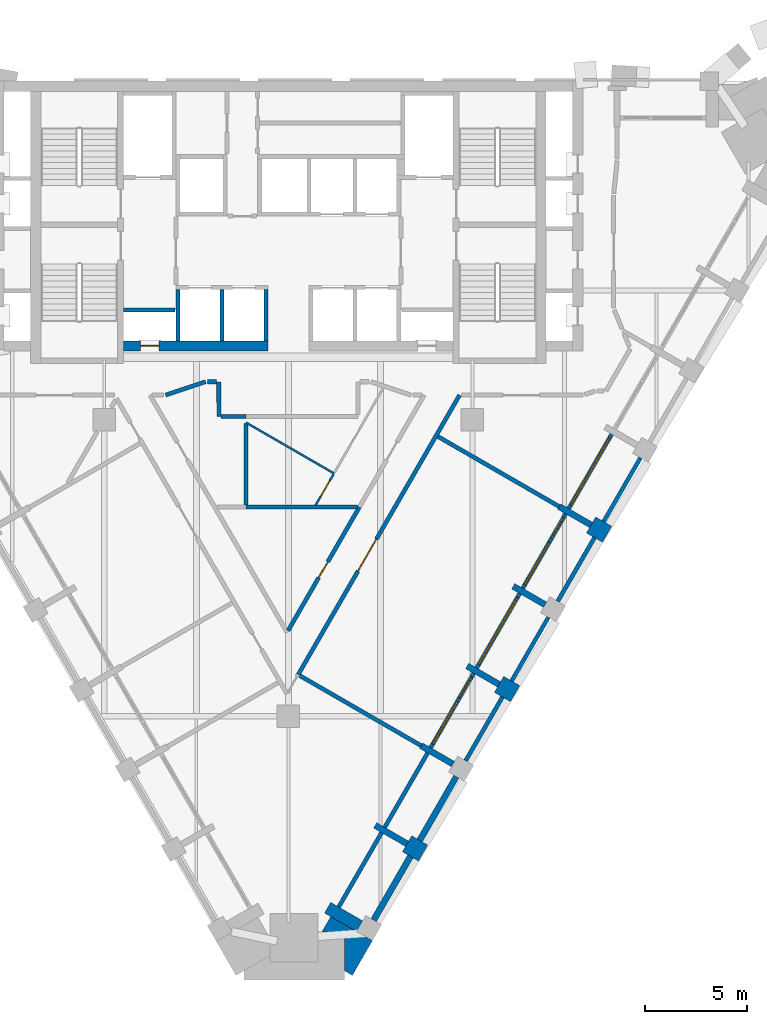
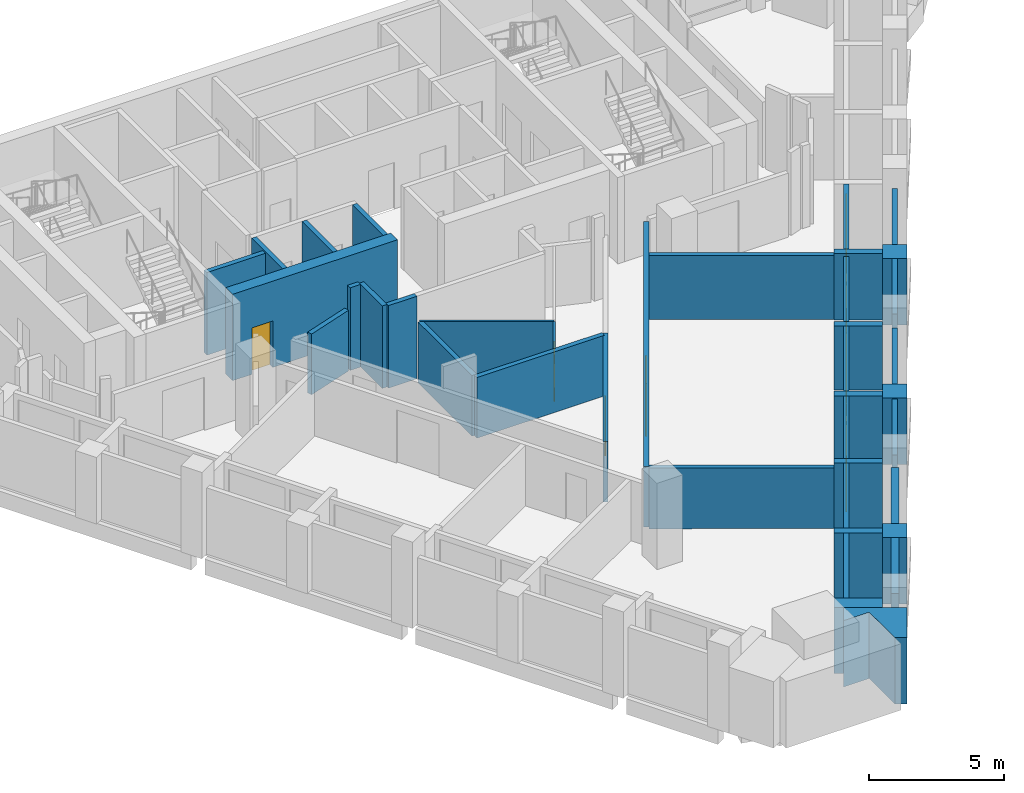
# One storey, part 4 of 9: 39 walls, 6 doors, 4 windows, 10 openings.
"""IFC4 building model written with IfcOpenShell, lengths in metres."""

from ifc_helpers import new_model, si_unit, direction, frame, frame_2d, origin, place, context, subcontext, project, spatial, polyline, rectangle, outline, extrude, material, layer, layer_set, type_object, element, fill, save


model = new_model("IFC4")

# Units and contexts
model_context = context("Model", 3, precision=1e-05, world=origin(), true_north=direction((0.0, 1.0)))
body_context = subcontext(model_context, "Body", "Model", "MODEL_VIEW")
ifc_project = project(units=[si_unit("LENGTHUNIT", "METRE"), si_unit("AREAUNIT", "SQUARE_METRE"), si_unit("VOLUMEUNIT", "CUBIC_METRE"), si_unit("PLANEANGLEUNIT", "RADIAN"), si_unit("MASSUNIT", "GRAM", prefix="KILO")], contexts=[model_context])

# Site, building, storey
site_placement = place(None, origin())
site = spatial("IfcSite", under=ifc_project, at=site_placement, CompositionType="ELEMENT")
building_placement = place(site_placement, origin())
building = spatial("IfcBuilding", under=site, at=building_placement, Name="Calabash Gate Tower", CompositionType="ELEMENT")
storey_placement = place(building_placement, frame((0.0, 0.0, 239.300048828125)))
storey = spatial("IfcBuildingStorey", under=building, at=storey_placement, Name="L57", CompositionType="ELEMENT", Elevation=239.300048828125)

# Walls
ifc_material_1 = material(Name="Terracotta brick masonry, exposed face", Category="masonry")
ifc_layer_1 = layer(ifc_material_1, 2.35009765625)
ifc_layer_set_1 = layer_set([ifc_layer_1], Name="Brick corner mass wall 2350")
wall_type_1 = type_object("IfcWallType", Name="Brick corner mass wall 2350", PredefinedType="SOLIDWALL", material=ifc_layer_set_1)
wall_1_placement = place(storey_placement, origin())
element("IfcWall", 1, at=wall_1_placement, inside=storey, type_object=wall_type_1, Name="Brick corner pier S16 2c", PredefinedType="SOLIDWALL", context=body_context, shape_type="SweptSolid", body=[
    extrude(outline(polyline([(4.11083984375, -22.9794921875), (2.07568359375, -21.804443359375), (1.6435546875, -22.552978515625), (2.740478515625, -22.552978515625), (2.740478515625, -24.452880859375), (3.130126953125, -24.677978515625), (4.11083984375, -22.9794921875)])), origin(), (0.0, 0.0, 1.0), 3.0),
])
ifc_material_2 = material(Name="Terracotta brick masonry, exposed face", Category="masonry")
ifc_layer_2 = layer(ifc_material_2, 0.89990234375)
ifc_layer_set_2 = layer_set([ifc_layer_2], Name="Brick end wall 900")
wall_type_2 = type_object("IfcWallType", Name="Brick end wall 900", PredefinedType="SOLIDWALL", material=ifc_layer_set_2)
for number, where, z_axis, x_axis, name in (
    (2, (5.970947265625, -18.857421875, 0.0), (0.0, 0.0, 1.0), (0.499902469156, 0.866081705922, 0.0), "Brick pier S16 SE2.1"),
    (3, (10.9208984375, -10.28369140625, 0.0), (0.0, 0.0, 1.0), (-0.499902469156, -0.866081705922, 0.0), "Brick pier S16 SE2.3"),
):
    element("IfcWall", number, at=place(storey_placement, frame(where, z_axis=z_axis, x_axis=x_axis)), inside=storey, type_object=wall_type_2, Name=name, PredefinedType="SOLIDWALL", context=body_context, shape_type="SweptSolid", body=[
        extrude(rectangle(XDim=0.900146484375, YDim=0.89990234375, at=frame_2d((0.4501953125, 0.0))), origin(), (0.0, 0.0, 1.0), 3.0),
    ])
wall_2_placement = place(storey_placement, frame((15.585693359375, -3.104248046875, 0.0), z_axis=(0.0, 0.0, 1.0), x_axis=(-0.866013897511, 0.50001992892, 0.0)))
element("IfcWall", 4, at=wall_2_placement, inside=storey, type_object=wall_type_2, Name="Brick pier S16 SE2.5", PredefinedType="SOLIDWALL", context=body_context, shape_type="SweptSolid", body=[
    extrude(rectangle(XDim=0.89990234375, YDim=0.89990234375, at=frame_2d((0.449951171875, 0.0))), origin(), (0.0, 0.0, 1.0), 3.0),
])
ifc_material_3 = material(Name="Terracotta brick masonry, exposed face", Category="masonry")
ifc_layer_3 = layer(ifc_material_3, 0.300048828125)
ifc_layer_set_3 = layer_set([ifc_layer_3], Name="Brick infill panel wall 300")
wall_type_3 = type_object("IfcWallType", Name="Brick infill panel wall 300", PredefinedType="SOLIDWALL", material=ifc_layer_set_3)
wall_3_placement = place(storey_placement, frame((4.171875, -21.9736328125, 0.0), z_axis=(0.0, 0.0, 1.0), x_axis=(0.499984792966, 0.866034183392, 0.0)))
element("IfcWall", 5, at=wall_3_placement, inside=storey, type_object=wall_type_3, Name="Brick panel S16 SE2.1", PredefinedType="SOLIDWALL", context=body_context, shape_type="SweptSolid", body=[
    extrude(rectangle(XDim=3.59814453125, YDim=0.300048828125, at=frame_2d((1.799072265625, 0.0))), origin(), (0.0, 0.0, 1.0), 3.0),
])
wall_4_placement = place(storey_placement, frame((8.220703125, -14.960693359375, 0.0), z_axis=(0.0, 0.0, 1.0), x_axis=(-0.50001992892, -0.866013897511, 0.0)))
element("IfcWall", 6, at=wall_4_placement, inside=storey, type_object=wall_type_3, Name="Brick panel S16 SE2.2", PredefinedType="SOLIDWALL", context=body_context, shape_type="SweptSolid", body=[
    extrude(rectangle(XDim=3.599365234375, YDim=0.300048828125, at=frame_2d((1.7998046875, 0.0))), origin(), (0.0, 0.0, 1.0), 3.0),
])
ifc_material_4 = material(Name="Terracotta brick masonry, exposed face", Category="masonry")
ifc_layer_4 = layer(ifc_material_4, 0.300048828125)
ifc_layer_set_4 = layer_set([ifc_layer_4], Name="Brick loggia cheek wall 300")
wall_type_4 = type_object("IfcWallType", Name="Brick loggia cheek wall 300", PredefinedType="SOLIDWALL", material=ifc_layer_set_4)
wall_5_placement = place(storey_placement, frame((3.481201171875, -22.269775390625, 0.0), z_axis=(0.0, 0.0, 1.0), x_axis=(-0.865989075817, 0.500062916607, 0.0)))
element("IfcWall", 7, at=wall_5_placement, inside=storey, type_object=wall_type_4, Name="Loggia cheek S16 SE2.0", PredefinedType="SOLIDWALL", context=body_context, shape_type="SweptSolid", body=[
    extrude(rectangle(XDim=1.800048828125, YDim=0.60009765625, at=frame_2d((0.89990234375, 0.0))), origin(), (0.0, 0.0, 1.0), 3.0),
])
for number, where, z_axis, x_axis, name in (
    (8, (4.24755859375, -17.3427734375, 0.0), (0.0, 0.0, 1.0), (0.866047807691, -0.499961193289, 0.0), "Loggia cheek S16 SE2.1"),
    (9, (8.056396484375, -14.345458984375, 0.0), (0.0, 0.0, 1.0), (-0.866047807691, 0.499961193289, 0.0), "Loggia cheek S16 SE2.2"),
):
    element("IfcWall", number, at=place(storey_placement, frame(where, z_axis=z_axis, x_axis=x_axis)), inside=storey, type_object=wall_type_4, Name=name, PredefinedType="SOLIDWALL", context=body_context, shape_type="SweptSolid", body=[
        extrude(rectangle(XDim=1.800048828125, YDim=0.300048828125, at=frame_2d((0.89990234375, 0.0))), origin(), (0.0, 0.0, 1.0), 3.0),
    ])
wall_6_placement = place(storey_placement, frame((8.74755859375, -9.54833984375, 0.0), z_axis=(0.0, 0.0, 1.0), x_axis=(0.865989075817, -0.500062916607, 0.0)))
element("IfcWall", 10, at=wall_6_placement, inside=storey, type_object=wall_type_4, Name="Loggia cheek S16 SE2.3", PredefinedType="SOLIDWALL", context=body_context, shape_type="SweptSolid", body=[
    extrude(rectangle(XDim=1.800048828125, YDim=0.300048828125, at=frame_2d((0.89990234375, 0.0))), origin(), (0.0, 0.0, 1.0), 2.884033203125),
])
wall_7_placement = place(storey_placement, frame((12.55615234375, -6.55126953125, 0.0), z_axis=(0.0, 0.0, 1.0), x_axis=(-0.866013897511, 0.50001992892, 0.0)))
element("IfcWall", 11, at=wall_7_placement, inside=storey, type_object=wall_type_4, Name="Loggia cheek S16 SE2.4", PredefinedType="SOLIDWALL", context=body_context, shape_type="SweptSolid", body=[
    extrude(rectangle(XDim=1.7998046875, YDim=0.300048828125, at=frame_2d((0.89990234375, 0.0))), origin(), (0.0, 0.0, 1.0), 2.884033203125),
])
wall_8_placement = place(storey_placement, frame((13.24755859375, -1.754150390625, 0.0), z_axis=(0.0, 0.0, 1.0), x_axis=(0.865989075817, -0.500062916607, 0.0)))
element("IfcWall", 12, at=wall_8_placement, inside=storey, type_object=wall_type_4, Name="Loggia cheek S16 SE2.5", PredefinedType="SOLIDWALL", context=body_context, shape_type="SweptSolid", body=[
    extrude(rectangle(XDim=1.800048828125, YDim=0.300048828125, at=frame_2d((0.89990234375, 0.0))), origin(), (0.0, 0.0, 1.0), 3.0),
])

# Wall, opening, door
ifc_material_5 = material(Name="Concrete C70/85", Category="concrete")
ifc_layer_5 = layer(ifc_material_5, 0.5)
ifc_layer_set_5 = layer_set([ifc_layer_5], Name="Core wall 500 Concrete C70/85")
wall_type_5 = type_object("IfcWallType", Name="Core wall 500 Concrete C70/85", PredefinedType="SHEAR", material=ifc_layer_set_5)
wall_9_placement = place(storey_placement, frame((-8.050048828125, 6.1025390625, 0.0), z_axis=(0.0, 0.0, 1.0), x_axis=(1.0, 0.0, 0.0)))
wall_9 = element("IfcWall", 13, at=wall_9_placement, inside=storey, type_object=wall_type_5, Name="Core wall Z4-SA L57", PredefinedType="SHEAR", context=body_context, shape_type="SweptSolid", body=[
    extrude(rectangle(XDim=7.050048828125, YDim=0.5, at=frame_2d((3.52490234375, 0.0))), origin(), (0.0, 0.0, 1.0), 3.89990234375),
])
opening_1_placement = place(wall_9_placement, frame((0.824951171875, 0.0, 0.0)))
opening_1 = element("IfcOpeningElement", 14, at=opening_1_placement, cuts=wall_9, Name="Opening O8-016", PredefinedType="OPENING", context=body_context, shape_type="SweptSolid", body=[
    extrude(rectangle(XDim=0.89990234375, YDim=2.10009765625, at=frame_2d((0.449951171875, 1.050048828125))), frame((0.0, 0.260009765625, 0.0), z_axis=(0.0, -1.0, 0.0), x_axis=(1.0, 0.0, 0.0)), (0.0, 0.0, 1.0), 0.52001953125),
])
ifc_material_6 = material(Name="Steel fire door set with fire-resisting glazing", Category="steel")
door_type_1 = type_object("IfcDoorType", Name="Fire door D07 900x2100 FD90", OperationType="NOTDEFINED", PredefinedType="DOOR", material=ifc_material_6)
door_1_placement = place(opening_1_placement, origin())
door_1 = element("IfcDoor", 15, at=door_1_placement, inside=storey, type_object=door_type_1, Name="Electrical Riser W door", OperationType="SINGLE_SWING_LEFT", OverallHeight=2.10009765625, OverallWidth=0.89990234375, PredefinedType="DOOR", context=body_context, shape_type="SweptSolid", body=[
    extrude(rectangle(XDim=0.89990234375, YDim=2.10009765625, at=frame_2d((0.449951171875, 1.050048828125))), frame((0.0, 0.02490234375, 0.0), z_axis=(0.0, -1.0, 0.0), x_axis=(1.0, 0.0, 0.0)), (0.0, 0.0, 1.0), 0.050048828125),
])
fill(opening_1, door_1)

ifc_material_7 = material(Name="Gypsum board on steel studs, mineral wool", Category="steel")
ifc_layer_6 = layer(ifc_material_7, 0.10009765625)
ifc_layer_set_6 = layer_set([ifc_layer_6], Name="Partition 100 gypsum board")
wall_type_6 = type_object("IfcWallType", Name="Partition 100 gypsum board", PredefinedType="PARTITIONING", material=ifc_layer_set_6)
wall_10_placement = place(storey_placement, frame((1.330810546875, -1.691162109375, 0.0), z_axis=(0.0, 0.0, 1.0), x_axis=(0.500723196883, 0.865607463059, 0.0)))
wall_10 = element("IfcWall", 16, at=wall_10_placement, inside=storey, type_object=wall_type_6, Name="Partition", PredefinedType="PARTITIONING", context=body_context, shape_type="SweptSolid", body=[
    extrude(rectangle(XDim=1.75244140625, YDim=0.10009765625, at=frame_2d((0.876220703125, 0.0))), origin(), (0.0, 0.0, 1.0), 2.74169921875),
])
opening_2_placement = place(wall_10_placement, frame((0.501708984375, 0.0, 0.0)))
opening_2 = element("IfcOpeningElement", 17, at=opening_2_placement, cuts=wall_10, Name="Opening 55-57-013", PredefinedType="OPENING", context=body_context, shape_type="SweptSolid", body=[
    extrude(rectangle(XDim=0.89990234375, YDim=2.10009765625, at=frame_2d((0.449951171875, 1.050048828125))), frame((0.0, 0.06005859375, 0.0), z_axis=(0.0, -1.0, 0.0), x_axis=(1.0, 0.0, 0.0)), (0.0, 0.0, 1.0), 0.1201171875),
])
ifc_material_8 = material(Name="Painted timber door", Category="wood")
door_type_2 = type_object("IfcDoorType", Name="WD1 WC door 900x2100", OperationType="NOTDEFINED", PredefinedType="DOOR", material=ifc_material_8)
door_2_placement = place(opening_2_placement, origin())
door_2 = element("IfcDoor", 18, at=door_2_placement, inside=storey, type_object=door_type_2, Name="WC door", OperationType="SINGLE_SWING_RIGHT", OverallHeight=2.10009765625, OverallWidth=0.89990234375, PredefinedType="DOOR", context=body_context, shape_type="SweptSolid", body=[
    extrude(rectangle(XDim=0.89990234375, YDim=2.10009765625, at=frame_2d((0.449951171875, 1.050048828125))), frame((0.0, 0.02490234375, 0.0), z_axis=(0.0, -1.0, 0.0), x_axis=(1.0, 0.0, 0.0)), (0.0, 0.0, 1.0), 0.050048828125),
])
fill(opening_2, door_2)

# Walls
wall_11_placement = place(storey_placement, frame((-2.072998046875, 2.357421875, 0.0), z_axis=(0.0, 0.0, 1.0), x_axis=(0.865852787501, -0.500298861059, 0.0)))
element("IfcWall", 19, at=wall_11_placement, inside=storey, type_object=wall_type_6, Name="Partition", PredefinedType="PARTITIONING", context=body_context, shape_type="SweptSolid", body=[
    extrude(rectangle(XDim=4.9736328125, YDim=0.10009765625, at=frame_2d((2.48681640625, 0.0))), origin(), (0.0, 0.0, 1.0), 2.74169921875),
])
ifc_material_9 = material(Name="Gypsum board on steel studs, mineral wool", Category="steel")
ifc_layer_7 = layer(ifc_material_9, 0.199951171875)
ifc_layer_set_7 = layer_set([ifc_layer_7], Name="Partition 200 gypsum board EI 60")
wall_type_7 = type_object("IfcWallType", Name="Partition 200 gypsum board EI 60", PredefinedType="PARTITIONING", material=ifc_layer_set_7)
wall_12_placement = place(storey_placement, frame((0.564697265625, -10.0224609375, 0.0), z_axis=(0.0, 0.0, 1.0), x_axis=(0.866127427728, -0.499823247696, 0.0)))
element("IfcWall", 20, at=wall_12_placement, inside=storey, type_object=wall_type_7, Name="Partition", PredefinedType="PARTITIONING", context=body_context, shape_type="SweptSolid", body=[
    extrude(rectangle(XDim=6.849609375, YDim=0.199951171875, at=frame_2d((3.4248046875, 0.0))), origin(), (0.0, 0.0, 1.0), 2.74169921875),
])

# Wall, opening, door
wall_13_placement = place(storey_placement, frame((-0.0126953125, -7.821044921875, 0.0), z_axis=(0.0, 0.0, 1.0), x_axis=(0.499774962009, 0.866155290551, 0.0)))
wall_13 = element("IfcWall", 21, at=wall_13_placement, inside=storey, type_object=wall_type_7, Name="Partition", PredefinedType="PARTITIONING", context=body_context, shape_type="SweptSolid", body=[
    extrude(rectangle(XDim=6.976806640625, YDim=0.199951171875, at=frame_2d((3.48828125, 0.0))), origin(), (0.0, 0.0, 1.0), 2.74169921875),
])
opening_3_placement = place(wall_13_placement, frame((2.989013671875, 0.0, 0.0)))
opening_3 = element("IfcOpeningElement", 22, at=opening_3_placement, cuts=wall_13, Name="Opening 55-57-005", PredefinedType="OPENING", context=body_context, shape_type="SweptSolid", body=[
    extrude(rectangle(XDim=0.89990234375, YDim=2.10009765625, at=frame_2d((0.449951171875, 1.050048828125))), frame((0.0, 0.10986328125, 0.0), z_axis=(0.0, -1.0, 0.0), x_axis=(1.0, 0.0, 0.0)), (0.0, 0.0, 1.0), 0.219970703125),
])
ifc_material_10 = material(Name="Steel fire door set with fire-resisting glazing", Category="steel")
door_type_3 = type_object("IfcDoorType", Name="SD3 Store door 900x2100", OperationType="NOTDEFINED", PredefinedType="DOOR", material=ifc_material_10)
door_3_placement = place(opening_3_placement, origin())
door_3 = element("IfcDoor", 23, at=door_3_placement, inside=storey, type_object=door_type_3, Name="Store door", OperationType="SINGLE_SWING_LEFT", OverallHeight=2.10009765625, OverallWidth=0.89990234375, PredefinedType="DOOR", context=body_context, shape_type="SweptSolid", body=[
    extrude(rectangle(XDim=0.89990234375, YDim=2.10009765625, at=frame_2d((0.449951171875, 1.050048828125))), frame((0.0, 0.02490234375, 0.0), z_axis=(0.0, -1.0, 0.0), x_axis=(1.0, 0.0, 0.0)), (0.0, 0.0, 1.0), 0.050048828125),
])
fill(opening_3, door_3)

# Walls
wall_14_placement = place(storey_placement, frame((-2.0712890625, -1.77587890625, 0.0), z_axis=(0.0, 0.0, 1.0), x_axis=(1.0, 0.0, 0.0)))
element("IfcWall", 24, at=wall_14_placement, inside=storey, type_object=wall_type_7, Name="Partition", PredefinedType="PARTITIONING", context=body_context, shape_type="SweptSolid", body=[
    extrude(rectangle(XDim=5.44775390625, YDim=0.199951171875, at=frame_2d((2.723876953125, 0.0))), origin(), (0.0, 0.0, 1.0), 2.74169921875),
])
wall_15_placement = place(storey_placement, frame((7.31591796875, 1.6708984375, 0.0), z_axis=(0.0, 0.0, 1.0), x_axis=(0.866023543838, -0.500003221507, 0.0)))
element("IfcWall", 25, at=wall_15_placement, inside=storey, type_object=wall_type_7, Name="Partition", PredefinedType="PARTITIONING", context=body_context, shape_type="SweptSolid", body=[
    extrude(rectangle(XDim=6.849609375, YDim=0.199951171875, at=frame_2d((3.4248046875, 0.0))), origin(), (0.0, 0.0, 1.0), 2.884033203125),
])
wall_16_placement = place(storey_placement, frame((-2.0712890625, -1.676025390625, 0.0), z_axis=(0.0, 0.0, 1.0), x_axis=(0.0, 1.0, 0.0)))
element("IfcWall", 26, at=wall_16_placement, inside=storey, type_object=wall_type_7, Name="Partition", PredefinedType="PARTITIONING", context=body_context, shape_type="SweptSolid", body=[
    extrude(rectangle(XDim=3.974609375, YDim=0.199951171875, at=frame_2d((1.9873046875, 0.0))), origin(), (0.0, 0.0, 1.0), 2.74169921875),
])
wall_17_placement = place(storey_placement, frame((-3.402099609375, 4.3505859375, 0.0), z_axis=(0.0, 0.0, 1.0), x_axis=(0.001150085496, -0.999999338651, 0.0)))
element("IfcWall", 27, at=wall_17_placement, inside=storey, type_object=wall_type_7, Name="Partition", PredefinedType="PARTITIONING", context=body_context, shape_type="SweptSolid", body=[
    extrude(rectangle(XDim=1.6982421875, YDim=0.199951171875, at=frame_2d((0.84912109375, 0.0))), origin(), (0.0, 0.0, 1.0), 3.72998046875),
])
wall_18_placement = place(storey_placement, frame((-3.30029296875, 2.65234375, 0.0), z_axis=(0.0, 0.0, 1.0), x_axis=(0.999999030114, -0.001392756309, 0.0)))
element("IfcWall", 28, at=wall_18_placement, inside=storey, type_object=wall_type_7, Name="Partition", PredefinedType="PARTITIONING", context=body_context, shape_type="SweptSolid", body=[
    extrude(rectangle(XDim=1.22705078125, YDim=0.199951171875, at=frame_2d((0.613525390625, 0.0))), origin(), (0.0, 0.0, 1.0), 3.72998046875),
])

# Wall, opening, door
wall_19_placement = place(storey_placement, frame((0.480224609375, -9.9716796875, 0.0), z_axis=(0.0, 0.0, 1.0), x_axis=(0.499998248741, 0.866026414872, 0.0)))
wall_19 = element("IfcWall", 29, at=wall_19_placement, inside=storey, type_object=wall_type_7, Name="Partition", PredefinedType="PARTITIONING", context=body_context, shape_type="SweptSolid", body=[
    extrude(rectangle(XDim=15.78515625, YDim=0.199951171875, at=frame_2d((7.892578125, 0.0))), origin(), (0.0, 0.0, 1.0), 2.74169921875),
])
opening_4_placement = place(wall_19_placement, frame((5.85009765625, 0.0, 0.0)))
opening_4 = element("IfcOpeningElement", 30, at=opening_4_placement, cuts=wall_19, Name="Opening 55-57-003", PredefinedType="OPENING", context=body_context, shape_type="SweptSolid", body=[
    extrude(rectangle(XDim=1.800048828125, YDim=2.39990234375, at=frame_2d((0.89990234375, 1.199951171875))), frame((0.0, 0.10986328125, 0.0), z_axis=(0.0, -1.0, 0.0), x_axis=(1.0, 0.0, 0.0)), (0.0, 0.0, 1.0), 0.219970703125),
])
ifc_material_11 = material(Name="Steel fire door set with fire-resisting glazing", Category="steel")
door_type_4 = type_object("IfcDoorType", Name="OD5 Open office double door 1800x2400", OperationType="NOTDEFINED", PredefinedType="DOOR", material=ifc_material_11)
door_4_placement = place(opening_4_placement, origin())
door_4 = element("IfcDoor", 31, at=door_4_placement, inside=storey, type_object=door_type_4, Name="Open office double door", OperationType="DOUBLE_DOOR_SINGLE_SWING", OverallHeight=2.39990234375, OverallWidth=1.800048828125, PredefinedType="DOOR", context=body_context, shape_type="SweptSolid", body=[
    extrude(rectangle(XDim=1.800048828125, YDim=2.39990234375, at=frame_2d((0.89990234375, 1.199951171875))), frame((0.0, 0.02490234375, 0.0), z_axis=(0.0, -1.0, 0.0), x_axis=(1.0, 0.0, 0.0)), (0.0, 0.0, 1.0), 0.050048828125),
])
fill(opening_4, door_4)

# Walls
wall_20_placement = place(storey_placement, frame((-6.0, 3.69970703125, 0.0), z_axis=(0.0, 0.0, 1.0), x_axis=(0.948683298051, 0.316227766017, 0.0)))
element("IfcWall", 32, at=wall_20_placement, inside=storey, type_object=wall_type_7, Name="Partition", PredefinedType="PARTITIONING", context=body_context, shape_type="SweptSolid", body=[
    extrude(rectangle(XDim=2.063720703125, YDim=0.199951171875, at=frame_2d((1.03173828125, 0.0))), origin(), (0.0, 0.0, 1.0), 2.74169921875),
])
wall_21_placement = place(storey_placement, frame((-3.9423828125, 4.35205078125, 0.0), z_axis=(0.0, 0.0, 1.0), x_axis=(0.999996159087, -0.00277160798, 0.0)))
element("IfcWall", 33, at=wall_21_placement, inside=storey, type_object=wall_type_7, Name="Partition", PredefinedType="PARTITIONING", context=body_context, shape_type="SweptSolid", body=[
    extrude(rectangle(XDim=0.4404296875, YDim=0.199951171875, at=frame_2d((0.22021484375, 0.0))), origin(), (0.0, 0.0, 1.0), 3.72998046875),
])
ifc_material_12 = material(Name="Concrete C40/50", Category="concrete")
ifc_layer_8 = layer(ifc_material_12, 0.199951171875)
ifc_layer_set_8 = layer_set([ifc_layer_8], Name="Shaft wall 200 Concrete C40/50")
wall_type_8 = type_object("IfcWallType", Name="Shaft wall 200 Concrete C40/50", PredefinedType="SOLIDWALL", material=ifc_layer_set_8)
for number, where, z_axis, x_axis, name in (
    (34, (-5.39990234375, 6.3525390625, 0.0), (0.0, 0.0, 1.0), (0.0, 1.0, 0.0), "Shaft wall"),
    (35, (-3.25, 6.3525390625, 0.0), (0.0, 0.0, 1.0), (0.0, 1.0, 0.0), "Shaft wall"),
    (36, (-1.10009765625, 6.3525390625, 0.0), (0.0, 0.0, 1.0), (0.0, 1.0, 0.0), "Shaft wall"),
    (37, (-8.050048828125, 7.8525390625, 0.0), (0.0, 0.0, 1.0), (1.0, 0.0, 0.0), "Shaft wall"),
):
    element("IfcWall", number, at=place(storey_placement, frame(where, z_axis=z_axis, x_axis=x_axis)), inside=storey, type_object=wall_type_8, Name=name, PredefinedType="SOLIDWALL", context=body_context, shape_type="SweptSolid", body=[
        extrude(rectangle(XDim=2.5, YDim=0.199951171875, at=frame_2d((1.25, 0.0))), origin(), (0.0, 0.0, 1.0), 3.72998046875),
    ])
ifc_material_13 = material(Name="Terracotta brick masonry, perforated", Category="masonry")
ifc_layer_9 = layer(ifc_material_13, 0.199951171875)
ifc_layer_set_9 = layer_set([ifc_layer_9], Name="Terracotta jaali screen B")
wall_type_9 = type_object("IfcWallType", Name="Terracotta jaali screen B", PredefinedType="SOLIDWALL", material=ifc_layer_set_9)
wall_22_placement = place(storey_placement, frame((8.6708984375, -14.180908203125, 0.0), z_axis=(0.0, 0.0, 1.0), x_axis=(0.500012057535, 0.866018442252, 0.0)))
element("IfcWall", 38, at=wall_22_placement, inside=storey, type_object=wall_type_9, Name="SCREEN B S16 SE2.3", PredefinedType="SOLIDWALL", context=body_context, shape_type="SweptSolid", body=[
    extrude(rectangle(XDim=3.60009765625, YDim=0.199951171875, at=frame_2d((1.800048828125, 0.0))), origin(), (0.0, 0.0, 1.0), 2.949951171875),
])
for number, where, z_axis, x_axis, name in (
    (39, (10.9208984375, -10.28369140625, 0.0), (0.0, 0.0, 1.0), (0.500012057535, 0.866018442252, 0.0), "SCREEN B S16 SE2.4"),
    (40, (13.1708984375, -6.38671875, 0.0), (0.0, 0.0, 1.0), (0.500012057535, 0.866018442252, 0.0), "SCREEN B S16 SE2.5"),
    (41, (15.4208984375, -2.489501953125, 0.0), (0.0, 0.0, 1.0), (0.500012057535, 0.866018442252, 0.0), "SCREEN B S16 SE2.6"),
):
    element("IfcWall", number, at=place(storey_placement, frame(where, z_axis=z_axis, x_axis=x_axis)), inside=storey, type_object=wall_type_9, Name=name, PredefinedType="SOLIDWALL", context=body_context, shape_type="SweptSolid", body=[
        extrude(rectangle(XDim=3.60009765625, YDim=0.199951171875, at=frame_2d((1.800048828125, 0.0))), origin(), (0.0, 0.0, 1.0), 3.0),
    ])
ifc_material_14 = material(Name="Aluminium framed window wall with insulated spandrel", Category="aluminium")
ifc_layer_10 = layer(ifc_material_14, 0.199951171875)
ifc_layer_set_10 = layer_set([ifc_layer_10], Name="Window wall 200")
wall_type_10 = type_object("IfcWallType", Name="Window wall 200", PredefinedType="ELEMENTEDWALL", material=ifc_layer_set_10)
wall_23_placement = place(storey_placement, frame((2.462158203125, -21.3349609375, 0.0), z_axis=(0.0, 0.0, 1.0), x_axis=(0.500002543286, 0.866023935413, 0.0)))
element("IfcWall", 42, at=wall_23_placement, inside=storey, type_object=wall_type_10, Name="Window wall S16 SE2.1", PredefinedType="ELEMENTEDWALL", context=body_context, shape_type="SweptSolid", body=[
    extrude(rectangle(XDim=4.2001953125, YDim=0.199951171875, at=frame_2d((2.10009765625, 0.0))), origin(), (0.0, 0.0, 1.0), 3.0),
])
wall_24_placement = place(storey_placement, frame((4.712158203125, -17.437744140625, 0.0), z_axis=(0.0, 0.0, 1.0), x_axis=(0.500027713859, 0.866009402589, 0.0)))
element("IfcWall", 43, at=wall_24_placement, inside=storey, type_object=wall_type_10, Name="Window wall S16 SE2.2", PredefinedType="ELEMENTEDWALL", context=body_context, shape_type="SweptSolid", body=[
    extrude(rectangle(XDim=4.199951171875, YDim=0.199951171875, at=frame_2d((2.10009765625, 0.0))), origin(), (0.0, 0.0, 1.0), 3.0),
])

# Wall, openings, door, window
wall_25_placement = place(storey_placement, frame((6.962158203125, -13.54052734375, 0.0), z_axis=(0.0, 0.0, 1.0), x_axis=(0.500027713859, 0.866009402589, 0.0)))
wall_25 = element("IfcWall", 44, at=wall_25_placement, inside=storey, type_object=wall_type_10, Name="Window wall S16 SE2.3", PredefinedType="ELEMENTEDWALL", context=body_context, shape_type="SweptSolid", body=[
    extrude(rectangle(XDim=4.199951171875, YDim=0.199951171875, at=frame_2d((2.10009765625, 0.0))), origin(), (0.0, 0.0, 1.0), 2.884033203125),
])
opening_5_placement = place(wall_25_placement, frame((0.199951171875, 0.0, 0.449951171875)))
opening_5 = element("IfcOpeningElement", 45, at=opening_5_placement, cuts=wall_25, Name="Opening OW1", PredefinedType="OPENING", context=body_context, shape_type="SweptSolid", body=[
    extrude(rectangle(XDim=2.39990234375, YDim=2.25, at=frame_2d((1.199951171875, 1.125))), frame((0.0, 0.10986328125, 0.0), z_axis=(0.0, -1.0, 0.0), x_axis=(1.0, 0.0, 0.0)), (0.0, 0.0, 1.0), 0.219970703125),
])
opening_6_placement = place(wall_25_placement, frame((2.800048828125, 0.0, 0.0)))
opening_6 = element("IfcOpeningElement", 46, at=opening_6_placement, cuts=wall_25, Name="Opening O8-022", PredefinedType="OPENING", context=body_context, shape_type="SweptSolid", body=[
    extrude(rectangle(XDim=1.199951171875, YDim=2.699951171875, at=frame_2d((0.60009765625, 1.35009765625))), frame((0.0, 0.10986328125, 0.0), z_axis=(0.0, -1.0, 0.0), x_axis=(1.0, 0.0, 0.0)), (0.0, 0.0, 1.0), 0.219970703125),
])
ifc_material_15 = material(Name="Anodised aluminium frame, bronze finish, impact-rated laminated clear glazing", Category="aluminium")
door_type_5 = type_object("IfcDoorType", Name="Loggia door DO1 1200x2700", OperationType="SLIDING_TO_LEFT", PredefinedType="DOOR", material=ifc_material_15)
door_5_placement = place(opening_6_placement, origin())
door_5 = element("IfcDoor", 47, at=door_5_placement, inside=storey, type_object=door_type_5, Name="Loggia door S16 SE2.3", OperationType="SINGLE_SWING_LEFT", OverallHeight=2.699951171875, OverallWidth=1.199951171875, PredefinedType="DOOR", context=body_context, shape_type="SweptSolid", body=[
    extrude(rectangle(XDim=1.199951171875, YDim=2.699951171875, at=frame_2d((0.60009765625, 1.35009765625))), frame((0.0, 0.02490234375, 0.0), z_axis=(0.0, -1.0, 0.0), x_axis=(1.0, 0.0, 0.0)), (0.0, 0.0, 1.0), 0.050048828125),
])
fill(opening_6, door_5)
ifc_material_16 = material(Name="Anodised aluminium frame, bronze finish, impact-rated laminated clear glazing", Category="aluminium")
window_type_1 = type_object("IfcWindowType", Name="Window OW1 2400x2250", PartitioningType="DOUBLE_PANEL_VERTICAL", PredefinedType="WINDOW", material=ifc_material_16)
window_1_placement = place(opening_5_placement, origin())
window_1 = element("IfcWindow", 48, at=window_1_placement, inside=storey, type_object=window_type_1, Name="Window OW1 S16 SE2.3", OverallHeight=2.25, OverallWidth=2.39990234375, PartitioningType="SINGLE_PANEL", PredefinedType="WINDOW", context=body_context, shape_type="SweptSolid", body=[
    extrude(rectangle(XDim=2.39990234375, YDim=2.25, at=frame_2d((1.199951171875, 1.125))), frame((0.0, 0.030029296875, 0.0), z_axis=(0.0, -1.0, 0.0), x_axis=(1.0, 0.0, 0.0)), (0.0, 0.0, 1.0), 0.06005859375),
])
fill(opening_5, window_1)

# Wall, opening, window
wall_26_placement = place(storey_placement, frame((9.212158203125, -9.6435546875, 0.0), z_axis=(0.0, 0.0, 1.0), x_axis=(0.500027713859, 0.866009402589, 0.0)))
wall_26 = element("IfcWall", 49, at=wall_26_placement, inside=storey, type_object=wall_type_10, Name="Window wall S16 SE2.4", PredefinedType="ELEMENTEDWALL", context=body_context, shape_type="SweptSolid", body=[
    extrude(rectangle(XDim=4.199951171875, YDim=0.199951171875, at=frame_2d((2.10009765625, 0.0))), origin(), (0.0, 0.0, 1.0), 2.884033203125),
])
opening_7_placement = place(wall_26_placement, frame((0.199951171875, 0.0, 0.449951171875)))
opening_7 = element("IfcOpeningElement", 50, at=opening_7_placement, cuts=wall_26, Name="Opening OW2", PredefinedType="OPENING", context=body_context, shape_type="SweptSolid", body=[
    extrude(rectangle(XDim=3.800048828125, YDim=2.25, at=frame_2d((1.89990234375, 1.125))), frame((0.0, 0.10986328125, 0.0), z_axis=(0.0, -1.0, 0.0), x_axis=(1.0, 0.0, 0.0)), (0.0, 0.0, 1.0), 0.219970703125),
])
ifc_material_17 = material(Name="Anodised aluminium frame, bronze finish, impact-rated laminated clear glazing", Category="aluminium")
window_type_2 = type_object("IfcWindowType", Name="Window OW2 3800x2250", PartitioningType="TRIPLE_PANEL_VERTICAL", PredefinedType="WINDOW", material=ifc_material_17)
window_2_placement = place(opening_7_placement, origin())
window_2 = element("IfcWindow", 51, at=window_2_placement, inside=storey, type_object=window_type_2, Name="Window OW2 S16 SE2.4", OverallHeight=2.25, OverallWidth=3.800048828125, PartitioningType="SINGLE_PANEL", PredefinedType="WINDOW", context=body_context, shape_type="SweptSolid", body=[
    extrude(rectangle(XDim=3.800048828125, YDim=2.25, at=frame_2d((1.89990234375, 1.125))), frame((0.0, 0.030029296875, 0.0), z_axis=(0.0, -1.0, 0.0), x_axis=(1.0, 0.0, 0.0)), (0.0, 0.0, 1.0), 0.06005859375),
])
fill(opening_7, window_2)

# Wall, openings, door, window
wall_27_placement = place(storey_placement, frame((11.462158203125, -5.746337890625, 0.0), z_axis=(0.0, 0.0, 1.0), x_axis=(0.500027713859, 0.866009402589, 0.0)))
wall_27 = element("IfcWall", 52, at=wall_27_placement, inside=storey, type_object=wall_type_10, Name="Window wall S16 SE2.5", PredefinedType="ELEMENTEDWALL", context=body_context, shape_type="SweptSolid", body=[
    extrude(rectangle(XDim=4.199951171875, YDim=0.199951171875, at=frame_2d((2.10009765625, 0.0))), origin(), (0.0, 0.0, 1.0), 2.884033203125),
])
opening_8_placement = place(wall_27_placement, frame((0.199951171875, 0.0, 0.449951171875)))
opening_8 = element("IfcOpeningElement", 53, at=opening_8_placement, cuts=wall_27, Name="Opening OW1", PredefinedType="OPENING", context=body_context, shape_type="SweptSolid", body=[
    extrude(rectangle(XDim=2.39990234375, YDim=2.25, at=frame_2d((1.199951171875, 1.125))), frame((0.0, 0.10986328125, 0.0), z_axis=(0.0, -1.0, 0.0), x_axis=(1.0, 0.0, 0.0)), (0.0, 0.0, 1.0), 0.219970703125),
])
opening_9_placement = place(wall_27_placement, frame((2.800048828125, 0.0, 0.0)))
opening_9 = element("IfcOpeningElement", 54, at=opening_9_placement, cuts=wall_27, Name="Opening O8-023", PredefinedType="OPENING", context=body_context, shape_type="SweptSolid", body=[
    extrude(rectangle(XDim=1.199951171875, YDim=2.699951171875, at=frame_2d((0.60009765625, 1.35009765625))), frame((0.0, 0.10986328125, 0.0), z_axis=(0.0, -1.0, 0.0), x_axis=(1.0, 0.0, 0.0)), (0.0, 0.0, 1.0), 0.219970703125),
])
door_6_placement = place(opening_9_placement, origin())
door_6 = element("IfcDoor", 55, at=door_6_placement, inside=storey, type_object=door_type_5, Name="Loggia door S16 SE2.5", OperationType="SINGLE_SWING_LEFT", OverallHeight=2.699951171875, OverallWidth=1.199951171875, PredefinedType="DOOR", context=body_context, shape_type="SweptSolid", body=[
    extrude(rectangle(XDim=1.199951171875, YDim=2.699951171875, at=frame_2d((0.60009765625, 1.35009765625))), frame((0.0, 0.02490234375, 0.0), z_axis=(0.0, -1.0, 0.0), x_axis=(1.0, 0.0, 0.0)), (0.0, 0.0, 1.0), 0.050048828125),
])
fill(opening_9, door_6)
window_3_placement = place(opening_8_placement, origin())
window_3 = element("IfcWindow", 56, at=window_3_placement, inside=storey, type_object=window_type_1, Name="Window OW1 S16 SE2.5", OverallHeight=2.25, OverallWidth=2.39990234375, PartitioningType="SINGLE_PANEL", PredefinedType="WINDOW", context=body_context, shape_type="SweptSolid", body=[
    extrude(rectangle(XDim=2.39990234375, YDim=2.25, at=frame_2d((1.199951171875, 1.125))), frame((0.0, 0.030029296875, 0.0), z_axis=(0.0, -1.0, 0.0), x_axis=(1.0, 0.0, 0.0)), (0.0, 0.0, 1.0), 0.06005859375),
])
fill(opening_8, window_3)

# Wall, opening, window
wall_28_placement = place(storey_placement, frame((13.712158203125, -1.849365234375, 0.0), z_axis=(0.0, 0.0, 1.0), x_axis=(0.500002543286, 0.866023935413, 0.0)))
wall_28 = element("IfcWall", 57, at=wall_28_placement, inside=storey, type_object=wall_type_10, Name="Window wall S16 SE2.6", PredefinedType="ELEMENTEDWALL", context=body_context, shape_type="SweptSolid", body=[
    extrude(rectangle(XDim=4.2001953125, YDim=0.199951171875, at=frame_2d((2.10009765625, 0.0))), origin(), (0.0, 0.0, 1.0), 3.0),
])
opening_10_placement = place(wall_28_placement, frame((0.199951171875, 0.0, 0.449951171875)))
opening_10 = element("IfcOpeningElement", 58, at=opening_10_placement, cuts=wall_28, Name="Opening OW2", PredefinedType="OPENING", context=body_context, shape_type="SweptSolid", body=[
    extrude(rectangle(XDim=3.800048828125, YDim=2.25, at=frame_2d((1.89990234375, 1.125))), frame((0.0, 0.10986328125, 0.0), z_axis=(0.0, -1.0, 0.0), x_axis=(1.0, 0.0, 0.0)), (0.0, 0.0, 1.0), 0.219970703125),
])
window_4_placement = place(opening_10_placement, origin())
window_4 = element("IfcWindow", 59, at=window_4_placement, inside=storey, type_object=window_type_2, Name="Window OW2 S16 SE2.6", OverallHeight=2.25, OverallWidth=3.800048828125, PartitioningType="SINGLE_PANEL", PredefinedType="WINDOW", context=body_context, shape_type="SweptSolid", body=[
    extrude(rectangle(XDim=3.800048828125, YDim=2.25, at=frame_2d((1.89990234375, 1.125))), frame((0.0, 0.030029296875, 0.0), z_axis=(0.0, -1.0, 0.0), x_axis=(1.0, 0.0, 0.0)), (0.0, 0.0, 1.0), 0.06005859375),
])
fill(opening_10, window_4)

save(model, "model.ifc")
